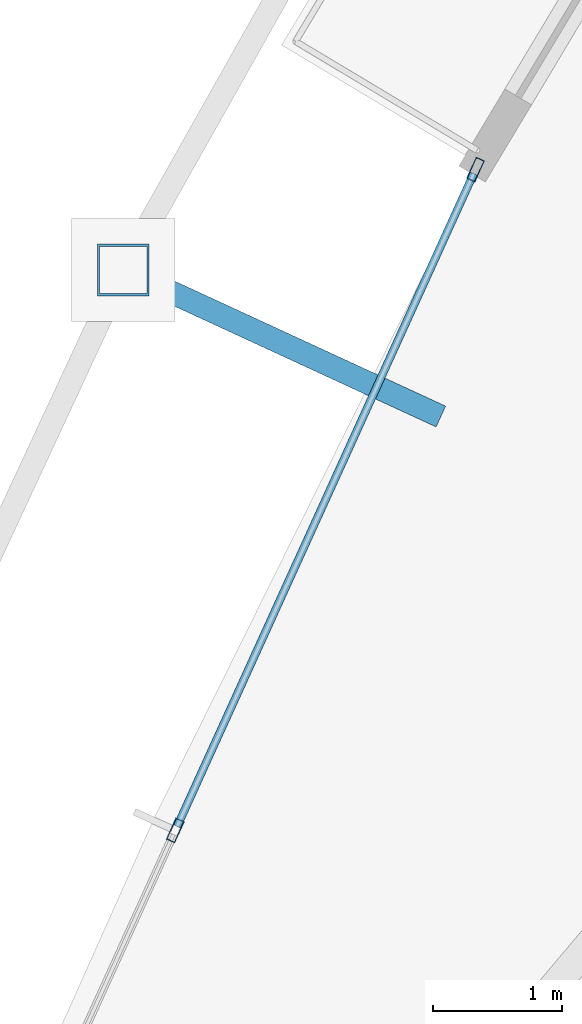
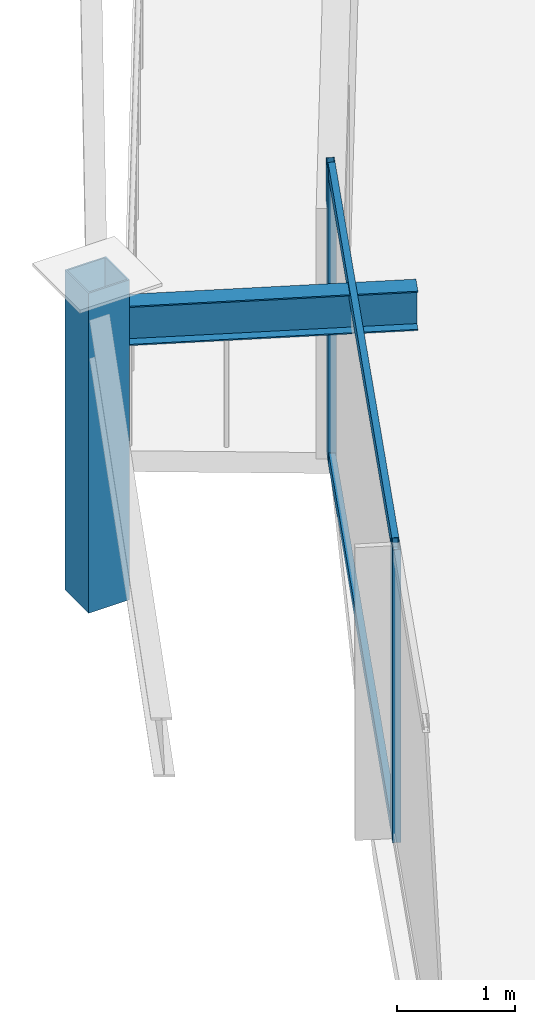
# One storey, part 10 of 30: 5 members, 1 beam, 1 element without a shape of its own.
"""IFC4 building model written with IfcOpenShell, lengths in metres."""

import ifcopenshell
import ifcopenshell.guid

model = None  # the IFC model being written
_history = None  # IfcOwnerHistory: only IFC2X3 demands one
_inside = {}  # id of a spatial element -> (the spatial element, [elements in it])
_under = {}  # id of a project, library or spatial element -> (it, [spatial elements below it])
_declared = {}  # id of a project -> (the project, [libraries it declares])
_typed = {}  # id of a type object -> (the type object, [elements of that type])
_made_of = {}  # id of a material, layer set ... -> (it, [elements and type objects made of it])


def new_model(schema):
    """Start an empty IFC model of exactly this schema.

    Asked for "IFC4X3", IfcOpenShell would pick the latest addendum, in which some entities
    have other attributes; the version numbers below select the first issue.
    IFC2X3 requires an IfcOwnerHistory on every rooted entity: one is made here for all.
    """
    global model, _history
    if schema == "IFC4X3":
        model = ifcopenshell.file(schema_version=(4, 3, 0, 0))
    else:
        model = ifcopenshell.file(schema=schema)
    _inside.clear()
    _under.clear()
    _declared.clear()
    _typed.clear()
    _made_of.clear()
    _history = None
    if model.schema == "IFC2X3":
        org = make("IfcOrganization", Name="unknown")
        user = make(
            "IfcPersonAndOrganization",
            ThePerson=make("IfcPerson", FamilyName="unknown"),
            TheOrganization=org,
        )
        app = make(
            "IfcApplication",
            ApplicationDeveloper=org,
            Version="unknown",
            ApplicationFullName="unknown",
            ApplicationIdentifier="unknown",
        )
        _history = make(
            "IfcOwnerHistory",
            OwningUser=user,
            OwningApplication=app,
            ChangeAction="ADDED",
            CreationDate=0,
        )
    return model


def make(cls, **values):
    """One entity of the class cls with the attributes given. An attribute that is None is left unset."""
    return model.create_entity(
        cls, **{name: value for name, value in values.items() if value is not None}
    )


def rooted(cls, **values):
    """An entity with a GlobalId (a new one), such as an element, a storey or a relation."""
    return make(cls, GlobalId=ifcopenshell.guid.new(), OwnerHistory=_history, **values)


def si_unit(unit_type, name, prefix=None):
    """IfcSIUnit, for example si_unit("LENGTHUNIT", "METRE", prefix="MILLI")."""
    return make("IfcSIUnit", UnitType=unit_type, Prefix=prefix, Name=name)


def assignment(units):
    """IfcUnitAssignment: the units of a project."""
    return None if units is None else make("IfcUnitAssignment", Units=units)


def point(xyz):
    """IfcCartesianPoint."""
    return None if xyz is None else make("IfcCartesianPoint", Coordinates=xyz)


def direction(xyz):
    """IfcDirection."""
    return None if xyz is None else make("IfcDirection", DirectionRatios=xyz)


def frame(location, z_axis=None, x_axis=None):
    """IfcAxis2Placement3D, a coordinate frame: its origin and axes. An axis left out is left unset."""
    return make(
        "IfcAxis2Placement3D",
        Location=point(location),
        Axis=direction(z_axis),
        RefDirection=direction(x_axis),
    )


def frame_2d(location, x_axis=None):
    """IfcAxis2Placement2D, a coordinate frame in the plane: its origin and x axis."""
    return make(
        "IfcAxis2Placement2D", Location=point(location), RefDirection=direction(x_axis)
    )


def origin():
    """The frame at (0, 0, 0) with its axes left unset."""
    return frame((0.0, 0.0, 0.0))


def origin_2d():
    """The frame at (0, 0) in the plane with its x axis left unset."""
    return frame_2d((0.0, 0.0))


def place(relative_to, where):
    """IfcLocalPlacement: puts the frame where relative to a parent placement (None: the world)."""
    return make(
        "IfcLocalPlacement", PlacementRelTo=relative_to, RelativePlacement=where
    )


def context(
    kind, dimensions, precision=None, world=None, true_north=None, identifier=None
):
    """IfcGeometricRepresentationContext, for example the 3D "Model" context."""
    return make(
        "IfcGeometricRepresentationContext",
        ContextIdentifier=identifier,
        ContextType=kind,
        CoordinateSpaceDimension=dimensions,
        Precision=precision,
        WorldCoordinateSystem=world,
        TrueNorth=true_north,
    )


def subcontext(parent, identifier, kind, view, scale=None):
    """IfcGeometricRepresentationSubContext, for example "Body" below "Model"."""
    return make(
        "IfcGeometricRepresentationSubContext",
        ContextIdentifier=identifier,
        ContextType=kind,
        ParentContext=parent,
        TargetScale=scale,
        TargetView=view,
    )


def project(units=None, contexts=None):
    """IfcProject with its units and contexts."""
    return rooted(
        "IfcProject",
        Name="project",
        RepresentationContexts=contexts,
        UnitsInContext=assignment(units),
    )


def spatial(cls, under=None, at=None, **own):
    """A site, building, storey or space (cls), placed at a placement, below another one or the project."""
    s = rooted(cls, ObjectPlacement=at, **own)
    if under is not None:
        _under.setdefault(under.id(), (under, []))[1].append(s)
    return s


def profile(cls, at=None, kind="AREA", **sizes):
    """A parametric profile (cls). Its sizes go by their IFC names, for example OverallWidth=200.0."""
    return make(cls, ProfileType=kind, Position=at, **sizes)


def hollow_rectangle(**sizes):
    """IfcRectangleHollowProfileDef."""
    return profile("IfcRectangleHollowProfileDef", **sizes)


def i_section(**sizes):
    """IfcIShapeProfileDef."""
    return profile("IfcIShapeProfileDef", **sizes)


def extrude(swept, where, along, depth):
    """IfcExtrudedAreaSolid: the profile swept, set in the frame where, extruded along a direction by depth."""
    return make(
        "IfcExtrudedAreaSolid",
        SweptArea=swept,
        Position=where,
        ExtrudedDirection=direction(along),
        Depth=depth,
    )


def shape(context_of_items, identifier, shape_type, items):
    """IfcShapeRepresentation: the items that make up one representation, for example the "Body"."""
    return make(
        "IfcShapeRepresentation",
        ContextOfItems=context_of_items,
        RepresentationIdentifier=identifier,
        RepresentationType=shape_type,
        Items=items,
    )


def material(Name=None, Category=None):
    """IfcMaterial."""
    return make("IfcMaterial", Name=Name, Category=Category)


def layer(
    of_material, thickness, ventilated=None, Name=None, Category=None, Priority=None
):
    """IfcMaterialLayer: one layer of a wall or slab, of a material (None: an air gap)."""
    return make(
        "IfcMaterialLayer",
        Material=of_material,
        LayerThickness=thickness,
        IsVentilated=ventilated,
        Name=Name,
        Category=Category,
        Priority=Priority,
    )


def layer_set(layers, Name=None):
    """IfcMaterialLayerSet."""
    return make("IfcMaterialLayerSet", MaterialLayers=layers, LayerSetName=Name)


def material_profile(
    of_material, cross_section, Name=None, Category=None, Priority=None
):
    """IfcMaterialProfile: a cross section and its material."""
    return make(
        "IfcMaterialProfile",
        Name=Name,
        Material=of_material,
        Profile=cross_section,
        Priority=Priority,
        Category=Category,
    )


def profile_set(profiles, Name=None, composite=None):
    """IfcMaterialProfileSet."""
    return make(
        "IfcMaterialProfileSet",
        Name=Name,
        MaterialProfiles=profiles,
        CompositeProfile=composite,
    )


def made_of(thing, what):
    """Note that an element or type object is made of a material, layer set ...; save() writes the relation."""
    if what is not None:
        _made_of.setdefault(what.id(), (what, []))[1].append(thing)
    return thing


def type_object(cls, material=None, **own):
    """A type object (cls), such as IfcWallType, which elements share."""
    return made_of(rooted(cls, **own), material)


def element(
    cls,
    number,
    at=None,
    inside=None,
    cuts=None,
    type_object=None,
    material=None,
    context=None,
    identifier="Body",
    shape_type=None,
    held_by="IfcProductDefinitionShape",
    body=None,
    shapes=None,
    **own,
):
    """One element of the class cls, such as IfcWall. Its Tag is "e" and its number.

    at: its placement. inside: the storey or other place that contains it. cuts: it is an
    opening in that element (IfcRelVoidsElement). A single representation is given by context,
    identifier, shape_type and body (its items); several are given by shapes. held_by: the class
    of the entity that holds the representations. save() writes the other relations.
    """
    e = rooted(cls, Tag="e%d" % number, ObjectPlacement=at, **own)
    if body is not None:
        shapes = [shape(context, identifier, shape_type, body)]
    if shapes is not None:
        e.Representation = make(held_by, Representations=shapes)
    if inside is not None:
        _inside.setdefault(inside.id(), (inside, []))[1].append(e)
    if cuts is not None:
        rooted(
            "IfcRelVoidsElement", RelatingBuildingElement=cuts, RelatedOpeningElement=e
        )
    if type_object is not None:
        _typed.setdefault(type_object.id(), (type_object, []))[1].append(e)
    return made_of(e, material)


def aggregate(whole, parts):
    """IfcRelAggregates: a whole, such as a stair, and the parts it consists of."""
    return rooted("IfcRelAggregates", RelatingObject=whole, RelatedObjects=parts)


def save(model, path):
    """Write the relations noted so far, then the file.

    IfcRelAggregates (storeys below a building ...), IfcRelContainedInSpatialStructure (elements
    in a storey), IfcRelDefinesByType, IfcRelAssociatesMaterial and IfcRelDeclares: one each for
    every whole, place, type object, material and project.
    """
    for whole, parts in _under.values():
        aggregate(whole, parts)
    for where, things in _inside.values():
        rooted(
            "IfcRelContainedInSpatialStructure",
            RelatedElements=things,
            RelatingStructure=where,
        )
    for kind, things in _typed.values():
        rooted("IfcRelDefinesByType", RelatedObjects=things, RelatingType=kind)
    for what, things in _made_of.values():
        rooted("IfcRelAssociatesMaterial", RelatedObjects=things, RelatingMaterial=what)
    for by, libraries in _declared.values():
        rooted("IfcRelDeclares", RelatingContext=by, RelatedDefinitions=libraries)
    model.write(path)


model = new_model("IFC4")

# Units and contexts
model_context = context("Model", 3, precision=1e-05, world=origin(), true_north=direction((0.0, 1.0)))
body_context = subcontext(model_context, "Body", "Model", "MODEL_VIEW")
ifc_project = project(units=[si_unit("LENGTHUNIT", "METRE"), si_unit("AREAUNIT", "SQUARE_METRE"), si_unit("VOLUMEUNIT", "CUBIC_METRE"), si_unit("PLANEANGLEUNIT", "RADIAN"), si_unit("MASSUNIT", "GRAM", prefix="KILO")], contexts=[model_context])

# Site, building, storey
site_placement = place(None, origin())
site = spatial("IfcSite", under=ifc_project, at=site_placement, CompositionType="ELEMENT")
building_placement = place(site_placement, origin())
building = spatial("IfcBuilding", under=site, at=building_placement, Name="Orvanel Arch Residences", CompositionType="ELEMENT")
storey_placement = place(building_placement, frame((0.0, 0.0, 143.0)))
storey = spatial("IfcBuildingStorey", under=building, at=storey_placement, Name="L40", CompositionType="ELEMENT", Elevation=143.0)

# Curtain wall, members
ifc_material_1 = material(Name="Bronze-anodised aluminium AA6063-T6", Category="aluminium")
ifc_layer = layer(ifc_material_1, 0.179931640625)
ifc_layer_set = layer_set([ifc_layer], Name="Bronze-anodised aluminium AA6063-T6")
curtain_wall_type = type_object("IfcCurtainWallType", Name="CW3-MID-SYS", PredefinedType="NOTDEFINED", material=ifc_layer_set)
curtain_wall_placement = place(storey_placement, origin())
curtain_wall = element("IfcCurtainWall", 1, at=curtain_wall_placement, inside=storey, type_object=curtain_wall_type, Name="L40 CW3-MID-SYS Unitised Curtain Wall", PredefinedType="NOTDEFINED")
ifc_material_profile_1 = material_profile(ifc_material_1, hollow_rectangle(XDim=0.070068359375, YDim=0.179931640625, WallThickness=0.00439453125, at=origin_2d()), Name="ALU180x70x4.5")
ifc_profile_set_1 = profile_set([ifc_material_profile_1], Name="Bronze-anodised aluminium AA6063-T6")
member_type_1 = type_object("IfcMemberType", Name="MUL-180x70", PredefinedType="MULLION", material=ifc_profile_set_1)
member_1_placement = place(storey_placement, frame((14.53662109375, 24.526123046875, 0.0), z_axis=(0.0, 0.0, 1.0), x_axis=(0.910449142842, -0.413621032225, 0.0)))
member_1 = element("IfcMember", 2, at=member_1_placement, type_object=member_type_1, Name="CW-S3 mullion 1", PredefinedType="MULLION", context=body_context, shape_type="SweptSolid", body=[
    extrude(hollow_rectangle(XDim=0.070068359375, YDim=0.179931640625, WallThickness=0.00439453125, at=origin_2d()), origin(), (0.0, 0.0, 1.0), 3.02001953125),
])
member_2_placement = place(storey_placement, frame((12.209716796875, 19.404296875, 0.0), z_axis=(0.0, 0.0, 1.0), x_axis=(0.910449142842, -0.413621032225, 0.0)))
member_2 = element("IfcMember", 3, at=member_2_placement, type_object=member_type_1, Name="CW-S3 mullion 2", PredefinedType="MULLION", context=body_context, shape_type="SweptSolid", body=[
    extrude(hollow_rectangle(XDim=0.070068359375, YDim=0.179931640625, WallThickness=0.00439453125, at=origin_2d()), origin(), (0.0, 0.0, 1.0), 3.02001953125),
])

# Beam
ifc_material_2 = material(Name="Structural steel AS/NZS 3679.1 Grade 300 (300 MPa)", Category="steel")
ifc_material_profile_2 = material_profile(ifc_material_2, i_section(OverallWidth=0.177978515625, OverallDepth=0.406005859375, WebThickness=0.0078125, FlangeThickness=0.0126953125, at=origin_2d()), Name="410UB59.7")
ifc_profile_set_2 = profile_set([ifc_material_profile_2], Name="Structural steel AS/NZS 3679.1 Grade 300 (300 MPa)")
beam_type = type_object("IfcBeamType", Name="OB-410UB-EXT", PredefinedType="SPANDREL", material=ifc_profile_set_2)
beam_placement = place(storey_placement, frame((14.26806640625, 22.612060546875, 2.81689453125), z_axis=(-0.908014715884, 0.418938271989, 0.0), x_axis=(-0.418938271989, -0.908014715884, 0.0)))
element("IfcBeam", 4, at=beam_placement, inside=storey, type_object=beam_type, Name="L40 Outer Frame Radial Tie Beam 03", PredefinedType="SPANDREL", context=body_context, shape_type="SweptSolid", body=[
    extrude(i_section(OverallWidth=0.177978515625, OverallDepth=0.406005859375, WebThickness=0.0078125, FlangeThickness=0.0126953125, at=origin_2d()), origin(), (0.0, 0.0, 1.0), 2.711669921875),
])

# Member
ifc_material_3 = material(Name="Structural steel AS/NZS 1163 C450L0 (Grade 450)", Category="steel")
ifc_material_profile_3 = material_profile(ifc_material_3, hollow_rectangle(XDim=0.39990234375, YDim=0.39990234375, WallThickness=0.01611328125, at=origin_2d()), Name="SHS400x400x16")
ifc_profile_set_3 = profile_set([ifc_material_profile_3], Name="Structural steel AS/NZS 1163 C450L0 (Grade 450)")
member_type_2 = type_object("IfcMemberType", Name="ST-400SHS-EXT", PredefinedType="STRUT", material=ifc_profile_set_3)
member_3_placement = place(storey_placement, frame((11.805908203125, 23.748046875, 0.0), z_axis=(0.0, 0.0, 1.0), x_axis=(1.0, 0.0, 0.0)))
element("IfcMember", 5, at=member_3_placement, inside=storey, type_object=member_type_2, Name="L40 Outer Perimeter Frame Post 03", PredefinedType="STRUT", context=body_context, shape_type="SweptSolid", body=[
    extrude(hollow_rectangle(XDim=0.39990234375, YDim=0.39990234375, WallThickness=0.01611328125, at=origin_2d()), origin(), (0.0, 0.0, 1.0), 3.300048828125),
])

ifc_material_profile_4 = material_profile(ifc_material_1, hollow_rectangle(XDim=0.06005859375, YDim=0.135009765625, WallThickness=0.00390625, at=origin_2d()), Name="ALU135x60x4")
ifc_profile_set_4 = profile_set([ifc_material_profile_4], Name="Bronze-anodised aluminium AA6063-T6")
member_type_3 = type_object("IfcMemberType", Name="TRN-135x60", PredefinedType="USERDEFINED", material=ifc_profile_set_4)
member_4_placement = place(storey_placement, frame((14.52197265625, 24.494384765625, 0.030029296875), z_axis=(-0.413610901204, -0.910453745341, 0.0), x_axis=(0.910453745341, -0.413610901204, 0.0)))
member_4 = element("IfcMember", 6, at=member_4_placement, type_object=member_type_3, Name="CW-S3 transom 1.1", ObjectType="TRANSOM", PredefinedType="USERDEFINED", context=body_context, shape_type="SweptSolid", body=[
    extrude(hollow_rectangle(XDim=0.06005859375, YDim=0.135009765625, WallThickness=0.00390625, at=origin_2d()), origin(), (0.0, 0.0, 1.0), 5.5556640625),
])

member_5_placement = place(storey_placement, frame((14.52197265625, 24.494384765625, 2.989990234375), z_axis=(-0.413610901204, -0.910453745341, 0.0), x_axis=(0.910453745341, -0.413610901204, 0.0)))
member_5 = element("IfcMember", 7, at=member_5_placement, type_object=member_type_3, Name="CW-S3 transom 1.2", ObjectType="TRANSOM", PredefinedType="USERDEFINED", context=body_context, shape_type="SweptSolid", body=[
    extrude(hollow_rectangle(XDim=0.06005859375, YDim=0.135009765625, WallThickness=0.00390625, at=origin_2d()), origin(), (0.0, 0.0, 1.0), 5.5556640625),
])

aggregate(curtain_wall, [member_1, member_2, member_4, member_5])

save(model, "model.ifc")
